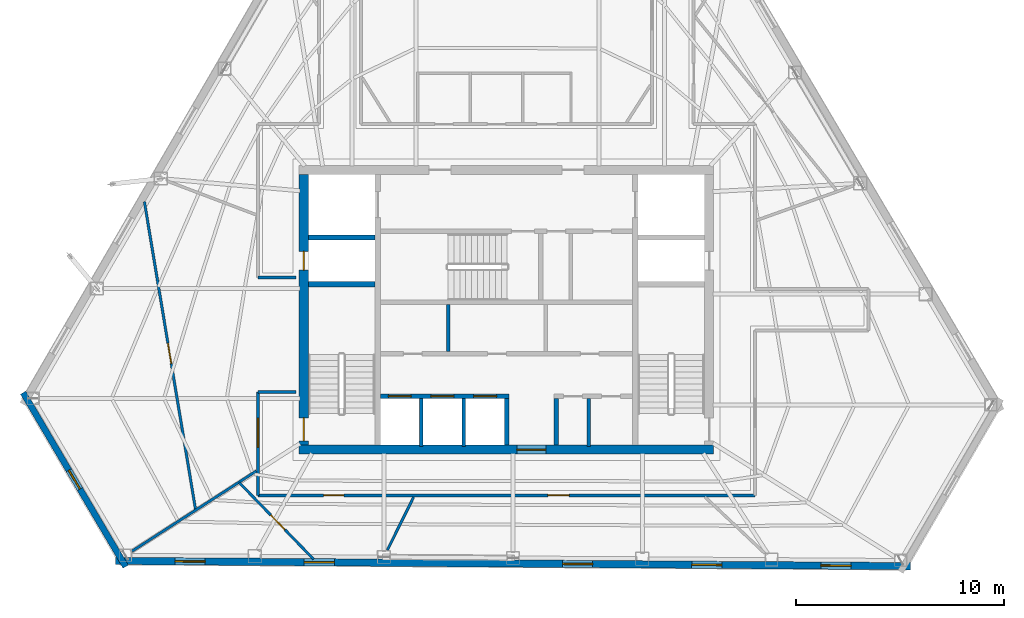
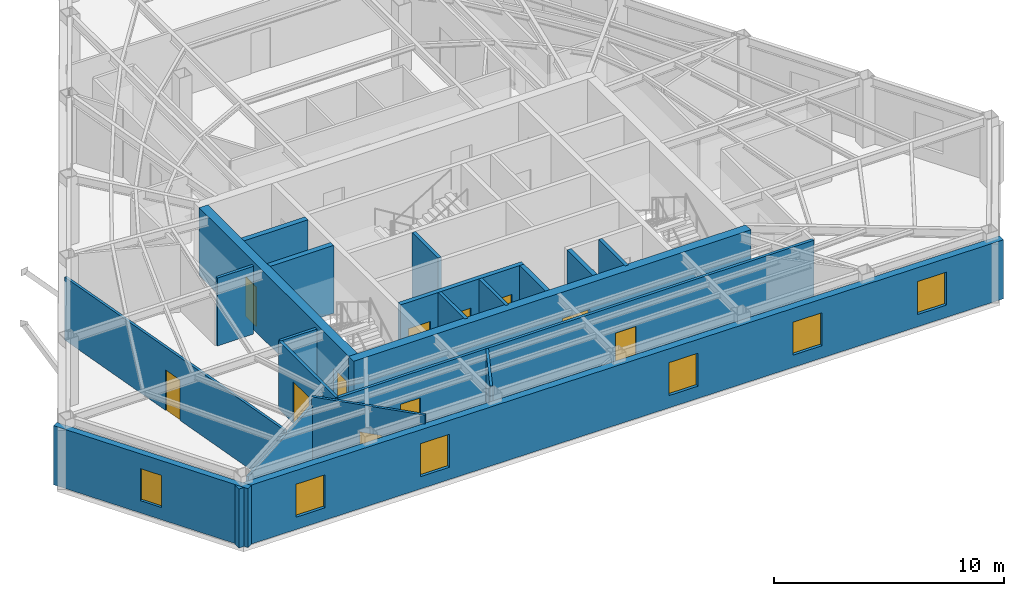
# One storey, part 7 of 11: 21 walls, 11 doors, 6 windows, 17 openings.
"""IFC4 building model written with IfcOpenShell, lengths in metres."""

from ifc_helpers import new_model, si_unit, direction, frame, frame_2d, origin, place, context, subcontext, project, spatial, rectangle, extrude, material, layer, layer_set, type_object, element, fill, save


model = new_model("IFC4")

# Units and contexts
model_context = context("Model", 3, precision=1e-05, world=origin(), true_north=direction((0.0, 1.0)))
body_context = subcontext(model_context, "Body", "Model", "MODEL_VIEW")
ifc_project = project(units=[si_unit("LENGTHUNIT", "METRE"), si_unit("AREAUNIT", "SQUARE_METRE"), si_unit("VOLUMEUNIT", "CUBIC_METRE"), si_unit("PLANEANGLEUNIT", "RADIAN"), si_unit("MASSUNIT", "GRAM", prefix="KILO")], contexts=[model_context])

# Site, building, storey
site_placement = place(None, origin())
site = spatial("IfcSite", under=ifc_project, at=site_placement, CompositionType="ELEMENT")
building_placement = place(site_placement, origin())
building = spatial("IfcBuilding", under=site, at=building_placement, Name="Kavelnor Concourse Tower", CompositionType="ELEMENT")
storey_placement = place(building_placement, frame((0.0, 0.0, 195.800048828125)))
storey = spatial("IfcBuildingStorey", under=building, at=storey_placement, Name="L49", CompositionType="ELEMENT", Elevation=195.800048828125)

# Wall, opening, door
ifc_material_1 = material(Name="Concrete C50/60", Category="concrete")
ifc_layer_1 = layer(ifc_material_1, 0.43994140625, Name="Concrete C50/60")
ifc_layer_set_1 = layer_set([ifc_layer_1], Name="Concrete C50/60")
wall_type_1 = type_object("IfcWallType", Name="WL-CORE-Z3-440", PredefinedType="SOLIDWALL", material=ifc_layer_set_1)
wall_1_placement = place(storey_placement, frame((28.0400390625, 9.3798828125, 0.0), z_axis=(0.0, 0.0, 1.0), x_axis=(1.0, 0.0, 0.0)))
wall_1 = element("IfcWall", 1, at=wall_1_placement, inside=storey, type_object=wall_type_1, Name="L49 Central Core South Shear Wall", PredefinedType="SOLIDWALL", context=body_context, shape_type="SweptSolid", body=[
    extrude(rectangle(XDim=19.919921875, YDim=0.43994140625, at=frame_2d((9.9599609375, 0.0))), origin(), (0.0, 0.0, 1.0), 3.599853515625),
])
opening_1_placement = place(wall_1_placement, frame((10.4599609375, 0.0, 0.0)))
opening_1 = element("IfcOpeningElement", 2, at=opening_1_placement, cuts=wall_1, Name="Opening SD-140", PredefinedType="OPENING", context=body_context, shape_type="SweptSolid", body=[
    extrude(rectangle(XDim=1.39990234375, YDim=2.199951171875, at=frame_2d((0.699951171875, 1.10009765625))), frame((0.0, 0.22998046875, 0.0), z_axis=(0.0, -1.0, 0.0), x_axis=(1.0, 0.0, 0.0)), (0.0, 0.0, 1.0), 0.4599609375),
])
ifc_material_2 = material(Name="Solid-core hardwood timber", Category="wood")
door_type_1 = type_object("IfcDoorType", Name="DR-SUITE-ENTRY-1400", OperationType="NOTDEFINED", PredefinedType="DOOR", material=ifc_material_2)
door_1_placement = place(opening_1_placement, origin())
door_1 = element("IfcDoor", 3, at=door_1_placement, inside=storey, type_object=door_type_1, Name="L49 Passenger Lift Lobby Entry Door", OperationType="SINGLE_SWING_RIGHT", OverallHeight=2.199951171875, OverallWidth=1.39990234375, PredefinedType="DOOR", context=body_context, shape_type="SweptSolid", body=[
    extrude(rectangle(XDim=1.39990234375, YDim=2.199951171875, at=frame_2d((0.699951171875, 1.10009765625))), frame((0.0, 0.02490234375, 0.0), z_axis=(0.0, -1.0, 0.0), x_axis=(1.0, 0.0, 0.0)), (0.0, 0.0, 1.0), 0.050048828125),
])
fill(opening_1, door_1)

# Wall, openings, doors
wall_2_placement = place(storey_placement, frame((28.260009765625, 9.60009765625, 0.0), z_axis=(0.0, 0.0, 1.0), x_axis=(0.0, 1.0, 0.0)))
wall_2 = element("IfcWall", 4, at=wall_2_placement, inside=storey, type_object=wall_type_1, Name="L49 Central Core West Shear Wall", PredefinedType="SOLIDWALL", context=body_context, shape_type="SweptSolid", body=[
    extrude(rectangle(XDim=13.0, YDim=0.43994140625, at=frame_2d((6.5, 0.0))), origin(), (0.0, 0.0, 1.0), 3.599853515625),
])
opening_2_placement = place(wall_2_placement, frame((0.199951171875, 0.0, 0.0)))
opening_2 = element("IfcOpeningElement", 5, at=opening_2_placement, cuts=wall_2, Name="Opening FD-110", PredefinedType="OPENING", context=body_context, shape_type="SweptSolid", body=[
    extrude(rectangle(XDim=1.10009765625, YDim=2.14990234375, at=frame_2d((0.550048828125, 1.074951171875))), frame((0.0, 0.22998046875, 0.0), z_axis=(0.0, -1.0, 0.0), x_axis=(1.0, 0.0, 0.0)), (0.0, 0.0, 1.0), 0.4599609375),
])
opening_3_placement = place(wall_2_placement, frame((8.39990234375, 0.0, 0.0)))
opening_3 = element("IfcOpeningElement", 6, at=opening_3_placement, cuts=wall_2, Name="Opening FD-090", PredefinedType="OPENING", context=body_context, shape_type="SweptSolid", body=[
    extrude(rectangle(XDim=0.89990234375, YDim=2.10009765625, at=frame_2d((0.449951171875, 1.050048828125))), frame((0.0, 0.22998046875, 0.0), z_axis=(0.0, -1.0, 0.0), x_axis=(1.0, 0.0, 0.0)), (0.0, 0.0, 1.0), 0.4599609375),
])
ifc_material_3 = material(Name="Steel Grade 350", Category="steel")
door_type_2 = type_object("IfcDoorType", Name="DR-RISER-FIRE-900", OperationType="NOTDEFINED", PredefinedType="DOOR", material=ifc_material_3)
door_2_placement = place(opening_3_placement, origin())
door_2 = element("IfcDoor", 7, at=door_2_placement, inside=storey, type_object=door_type_2, Name="L49 West Riser Access Door", OperationType="SINGLE_SWING_RIGHT", OverallHeight=2.10009765625, OverallWidth=0.89990234375, PredefinedType="DOOR", context=body_context, shape_type="SweptSolid", body=[
    extrude(rectangle(XDim=0.89990234375, YDim=2.10009765625, at=frame_2d((0.449951171875, 1.050048828125))), frame((0.0, 0.02490234375, 0.0), z_axis=(0.0, -1.0, 0.0), x_axis=(1.0, 0.0, 0.0)), (0.0, 0.0, 1.0), 0.050048828125),
])
fill(opening_3, door_2)
door_type_3 = type_object("IfcDoorType", Name="DR-STAIR-FIRE-1100", OperationType="NOTDEFINED", PredefinedType="DOOR", material=ifc_material_3)
door_3_placement = place(opening_2_placement, origin())
door_3 = element("IfcDoor", 8, at=door_3_placement, inside=storey, type_object=door_type_3, Name="L49 Stair ST1 Fire Door", OperationType="SINGLE_SWING_LEFT", OverallHeight=2.14990234375, OverallWidth=1.10009765625, PredefinedType="DOOR", context=body_context, shape_type="SweptSolid", body=[
    extrude(rectangle(XDim=1.10009765625, YDim=2.14990234375, at=frame_2d((0.550048828125, 1.074951171875))), frame((0.0, 0.02490234375, 0.0), z_axis=(0.0, -1.0, 0.0), x_axis=(1.0, 0.0, 0.0)), (0.0, 0.0, 1.0), 0.050048828125),
])
fill(opening_2, door_3)

# Wall, opening, window
ifc_material_4 = material(Name="Buff ironspot clay face brick masonry", Category="masonry")
ifc_layer_2 = layer(ifc_material_4, 0.300048828125, Name="Buff ironspot clay face brick masonry")
ifc_layer_set_2 = layer_set([ifc_layer_2], Name="Buff ironspot clay face brick masonry")
wall_type_2 = type_object("IfcWallType", Name="WL-EXT-BUFF-BRICK-FOLD-300", PredefinedType="STANDARD", material=ifc_layer_set_2)
wall_3_placement = place(storey_placement, frame((19.701171875, 3.748291015625, 0.0), z_axis=(0.0, 0.0, 1.0), x_axis=(-0.507779296433, 0.861487194399, 0.0)))
wall_3 = element("IfcWall", 9, at=wall_3_placement, inside=storey, type_object=wall_type_2, Name="L49 Exterior Brick Facade Wall E2", PredefinedType="STANDARD", context=body_context, shape_type="SweptSolid", body=[
    extrude(rectangle(XDim=9.708740234375, YDim=0.300048828125, at=frame_2d((4.8544921875, 0.0))), origin(), (0.0, 0.0, 1.0), 3.1318359375),
])
opening_4_placement = place(wall_3_placement, frame((4.329345703125, 0.0, 0.64990234375)))
opening_4 = element("IfcOpeningElement", 10, at=opening_4_placement, cuts=wall_3, Name="Opening W-06", PredefinedType="OPENING", context=body_context, shape_type="SweptSolid", body=[
    extrude(rectangle(XDim=1.050048828125, YDim=1.699951171875, at=frame_2d((0.52490234375, 0.85009765625))), frame((0.0, 0.16015625, 0.0), z_axis=(0.0, -1.0, 0.0), x_axis=(1.0, 0.0, 0.0)), (0.0, 0.0, 1.0), 0.320068359375),
])
ifc_material_5 = material(Name="Double low-E argon insulated glazing", Category="glass")
window_type_1 = type_object("IfcWindowType", Name="WIN-FOLD-1050", PartitioningType="SINGLE_PANEL", PredefinedType="WINDOW", material=ifc_material_5)
window_1_placement = place(opening_4_placement, origin())
window_1 = element("IfcWindow", 11, at=window_1_placement, inside=storey, type_object=window_type_1, Name="L49 Chamfer-Fold Facet Window C1", OverallHeight=1.699951171875, OverallWidth=1.050048828125, PartitioningType="SINGLE_PANEL", PredefinedType="WINDOW", context=body_context, shape_type="SweptSolid", body=[
    extrude(rectangle(XDim=1.050048828125, YDim=1.699951171875, at=frame_2d((0.52490234375, 0.85009765625))), frame((0.0, 0.030029296875, 0.0), z_axis=(0.0, -1.0, 0.0), x_axis=(1.0, 0.0, 0.0)), (0.0, 0.0, 1.0), 0.06005859375),
])
fill(opening_4, window_1)

# Wall, openings, windows
ifc_material_6 = material(Name="Red-ochre clay face brick masonry", Category="masonry")
ifc_layer_3 = layer(ifc_material_6, 0.35009765625, Name="Red-ochre clay face brick masonry")
ifc_layer_set_3 = layer_set([ifc_layer_3], Name="Red-ochre clay face brick masonry")
wall_type_3 = type_object("IfcWallType", Name="WL-EXT-RED-BRICK-PIER-350", PredefinedType="STANDARD", material=ifc_layer_set_3)
wall_4_placement = place(storey_placement, frame((57.4248046875, 3.774658203125, 0.0), z_axis=(0.0, 0.0, 1.0), x_axis=(-0.99997846495, 0.006562746083, 0.0)))
wall_4 = element("IfcWall", 12, at=wall_4_placement, inside=storey, type_object=wall_type_3, Name="L49 Exterior Brick Facade Wall E3", PredefinedType="STANDARD", context=body_context, shape_type="SweptSolid", body=[
    extrude(rectangle(XDim=38.205322265625, YDim=0.35009765625, at=frame_2d((19.1025390625, 0.0))), origin(), (0.0, 0.0, 1.0), 3.1318359375),
])
opening_5_placement = place(wall_4_placement, frame((33.90380859375, 0.0, 0.64990234375)))
opening_5 = element("IfcOpeningElement", 13, at=opening_5_placement, cuts=wall_4, Name="Opening W-03", PredefinedType="OPENING", context=body_context, shape_type="SweptSolid", body=[
    extrude(rectangle(XDim=1.449951171875, YDim=1.75, at=frame_2d((0.72509765625, 0.875))), frame((0.0, 0.18505859375, 0.0), z_axis=(0.0, -1.0, 0.0), x_axis=(1.0, 0.0, 0.0)), (0.0, 0.0, 1.0), 0.3701171875),
])
opening_6_placement = place(wall_4_placement, frame((27.694580078125, 0.0, 0.64990234375)))
opening_6 = element("IfcOpeningElement", 14, at=opening_6_placement, cuts=wall_4, Name="Opening W-03", PredefinedType="OPENING", context=body_context, shape_type="SweptSolid", body=[
    extrude(rectangle(XDim=1.449951171875, YDim=1.75, at=frame_2d((0.72509765625, 0.875))), frame((0.0, 0.18505859375, 0.0), z_axis=(0.0, -1.0, 0.0), x_axis=(1.0, 0.0, 0.0)), (0.0, 0.0, 1.0), 0.3701171875),
])
opening_7_placement = place(wall_4_placement, frame((15.2763671875, 0.0, 0.64990234375)))
opening_7 = element("IfcOpeningElement", 15, at=opening_7_placement, cuts=wall_4, Name="Opening W-03", PredefinedType="OPENING", context=body_context, shape_type="SweptSolid", body=[
    extrude(rectangle(XDim=1.449951171875, YDim=1.75, at=frame_2d((0.72509765625, 0.875))), frame((0.0, 0.18505859375, 0.0), z_axis=(0.0, -1.0, 0.0), x_axis=(1.0, 0.0, 0.0)), (0.0, 0.0, 1.0), 0.3701171875),
])
opening_8_placement = place(wall_4_placement, frame((9.067138671875, 0.0, 0.64990234375)))
opening_8 = element("IfcOpeningElement", 16, at=opening_8_placement, cuts=wall_4, Name="Opening W-03", PredefinedType="OPENING", context=body_context, shape_type="SweptSolid", body=[
    extrude(rectangle(XDim=1.449951171875, YDim=1.75, at=frame_2d((0.72509765625, 0.875))), frame((0.0, 0.18505859375, 0.0), z_axis=(0.0, -1.0, 0.0), x_axis=(1.0, 0.0, 0.0)), (0.0, 0.0, 1.0), 0.3701171875),
])
opening_9_placement = place(wall_4_placement, frame((2.85791015625, 0.0, 0.64990234375)))
opening_9 = element("IfcOpeningElement", 17, at=opening_9_placement, cuts=wall_4, Name="Opening W-03", PredefinedType="OPENING", context=body_context, shape_type="SweptSolid", body=[
    extrude(rectangle(XDim=1.449951171875, YDim=1.75, at=frame_2d((0.72509765625, 0.875))), frame((0.0, 0.18505859375, 0.0), z_axis=(0.0, -1.0, 0.0), x_axis=(1.0, 0.0, 0.0)), (0.0, 0.0, 1.0), 0.3701171875),
])
window_type_2 = type_object("IfcWindowType", Name="WIN-PIER-Z3-1500", PartitioningType="SINGLE_PANEL", PredefinedType="WINDOW", material=ifc_material_5)
window_2_placement = place(opening_5_placement, origin())
window_2 = element("IfcWindow", 18, at=window_2_placement, inside=storey, type_object=window_type_2, Name="L49 Deep-Set Brick Pier Window F1-B0", OverallHeight=1.75, OverallWidth=1.449951171875, PartitioningType="SINGLE_PANEL", PredefinedType="WINDOW", context=body_context, shape_type="SweptSolid", body=[
    extrude(rectangle(XDim=1.449951171875, YDim=1.75, at=frame_2d((0.72509765625, 0.875))), frame((0.0, 0.030029296875, 0.0), z_axis=(0.0, -1.0, 0.0), x_axis=(1.0, 0.0, 0.0)), (0.0, 0.0, 1.0), 0.06005859375),
])
fill(opening_5, window_2)
window_3_placement = place(opening_6_placement, origin())
window_3 = element("IfcWindow", 19, at=window_3_placement, inside=storey, type_object=window_type_2, Name="L49 Deep-Set Brick Pier Window F1-B1", OverallHeight=1.75, OverallWidth=1.449951171875, PartitioningType="SINGLE_PANEL", PredefinedType="WINDOW", context=body_context, shape_type="SweptSolid", body=[
    extrude(rectangle(XDim=1.449951171875, YDim=1.75, at=frame_2d((0.72509765625, 0.875))), frame((0.0, 0.030029296875, 0.0), z_axis=(0.0, -1.0, 0.0), x_axis=(1.0, 0.0, 0.0)), (0.0, 0.0, 1.0), 0.06005859375),
])
fill(opening_6, window_3)
window_4_placement = place(opening_7_placement, origin())
window_4 = element("IfcWindow", 20, at=window_4_placement, inside=storey, type_object=window_type_2, Name="L49 Deep-Set Brick Pier Window F1-B3", OverallHeight=1.75, OverallWidth=1.449951171875, PartitioningType="SINGLE_PANEL", PredefinedType="WINDOW", context=body_context, shape_type="SweptSolid", body=[
    extrude(rectangle(XDim=1.449951171875, YDim=1.75, at=frame_2d((0.72509765625, 0.875))), frame((0.0, 0.030029296875, 0.0), z_axis=(0.0, -1.0, 0.0), x_axis=(1.0, 0.0, 0.0)), (0.0, 0.0, 1.0), 0.06005859375),
])
fill(opening_7, window_4)
window_5_placement = place(opening_8_placement, origin())
window_5 = element("IfcWindow", 21, at=window_5_placement, inside=storey, type_object=window_type_2, Name="L49 Deep-Set Brick Pier Window F1-B4", OverallHeight=1.75, OverallWidth=1.449951171875, PartitioningType="SINGLE_PANEL", PredefinedType="WINDOW", context=body_context, shape_type="SweptSolid", body=[
    extrude(rectangle(XDim=1.449951171875, YDim=1.75, at=frame_2d((0.72509765625, 0.875))), frame((0.0, 0.030029296875, 0.0), z_axis=(0.0, -1.0, 0.0), x_axis=(1.0, 0.0, 0.0)), (0.0, 0.0, 1.0), 0.06005859375),
])
fill(opening_8, window_5)
window_6_placement = place(opening_9_placement, origin())
window_6 = element("IfcWindow", 22, at=window_6_placement, inside=storey, type_object=window_type_2, Name="L49 Deep-Set Brick Pier Window F1-B5", OverallHeight=1.75, OverallWidth=1.449951171875, PartitioningType="SINGLE_PANEL", PredefinedType="WINDOW", context=body_context, shape_type="SweptSolid", body=[
    extrude(rectangle(XDim=1.449951171875, YDim=1.75, at=frame_2d((0.72509765625, 0.875))), frame((0.0, 0.030029296875, 0.0), z_axis=(0.0, -1.0, 0.0), x_axis=(1.0, 0.0, 0.0)), (0.0, 0.0, 1.0), 0.06005859375),
])
fill(opening_9, window_6)

# Wall
ifc_material_7 = material(Name="Gypsum plasterboard on light-gauge steel studs", Category="steel")
ifc_layer_4 = layer(ifc_material_7, 0.14501953125, Name="Gypsum plasterboard on light-gauge steel studs")
ifc_layer_set_4 = layer_set([ifc_layer_4], Name="Gypsum plasterboard on light-gauge steel studs")
wall_type_4 = type_object("IfcWallType", Name="WL-INT-CORR-145", PredefinedType="PARTITIONING", material=ifc_layer_set_4)
wall_5_placement = place(storey_placement, frame((27.8798828125, 17.64990234375, 0.0), z_axis=(0.0, 0.0, 1.0), x_axis=(-1.0, 0.0, 0.0)))
element("IfcWall", 23, at=wall_5_placement, inside=storey, type_object=wall_type_4, Name="L49 Corridor Wall WL-L49-CR-01", PredefinedType="PARTITIONING", context=body_context, shape_type="SweptSolid", body=[
    extrude(rectangle(XDim=1.81982421875, YDim=0.14501953125, at=frame_2d((0.909912109375, 0.0))), origin(), (0.0, 0.0, 1.0), 3.599853515625),
])

# Wall, openings, doors
wall_6_placement = place(storey_placement, frame((49.93994140625, 7.179931640625, 0.0), z_axis=(0.0, 0.0, 1.0), x_axis=(-1.0, 0.0, 0.0)))
wall_6 = element("IfcWall", 24, at=wall_6_placement, inside=storey, type_object=wall_type_4, Name="L49 Corridor Wall WL-L49-CR-17", PredefinedType="PARTITIONING", context=body_context, shape_type="SweptSolid", body=[
    extrude(rectangle(XDim=23.8798828125, YDim=0.14501953125, at=frame_2d((11.93994140625, 0.0))), origin(), (0.0, 0.0, 1.0), 3.599853515625),
])
opening_10_placement = place(wall_6_placement, frame((19.749267578125, 0.0, 0.0)))
opening_10 = element("IfcOpeningElement", 25, at=opening_10_placement, cuts=wall_6, Name="Opening OD-098", PredefinedType="OPENING", context=body_context, shape_type="SweptSolid", body=[
    extrude(rectangle(XDim=0.97998046875, YDim=2.14990234375, at=frame_2d((0.489990234375, 1.074951171875))), frame((0.0, 0.08251953125, 0.0), z_axis=(0.0, -1.0, 0.0), x_axis=(1.0, 0.0, 0.0)), (0.0, 0.0, 1.0), 0.1650390625),
])
opening_11_placement = place(wall_6_placement, frame((8.92919921875, 0.0, 0.0)))
opening_11 = element("IfcOpeningElement", 26, at=opening_11_placement, cuts=wall_6, Name="Opening MD-102", PredefinedType="OPENING", context=body_context, shape_type="SweptSolid", body=[
    extrude(rectangle(XDim=1.02001953125, YDim=2.14990234375, at=frame_2d((0.510009765625, 1.074951171875))), frame((0.0, 0.08251953125, 0.0), z_axis=(0.0, -1.0, 0.0), x_axis=(1.0, 0.0, 0.0)), (0.0, 0.0, 1.0), 0.1650390625),
])
ifc_material_8 = material(Name="Acoustic glazed timber frame", Category="wood")
door_type_4 = type_object("IfcDoorType", Name="DR-MEETING-1020", OperationType="NOTDEFINED", PredefinedType="DOOR", material=ifc_material_8)
door_4_placement = place(opening_11_placement, origin())
door_4 = element("IfcDoor", 27, at=door_4_placement, inside=storey, type_object=door_type_4, Name="L49 Client Boardroom 10 Door", OperationType="SINGLE_SWING_RIGHT", OverallHeight=2.14990234375, OverallWidth=1.02001953125, PredefinedType="DOOR", context=body_context, shape_type="SweptSolid", body=[
    extrude(rectangle(XDim=1.02001953125, YDim=2.14990234375, at=frame_2d((0.510009765625, 1.074951171875))), frame((0.0, 0.02490234375, 0.0), z_axis=(0.0, -1.0, 0.0), x_axis=(1.0, 0.0, 0.0)), (0.0, 0.0, 1.0), 0.050048828125),
])
fill(opening_11, door_4)
door_type_5 = type_object("IfcDoorType", Name="DR-OFFICE-980", OperationType="NOTDEFINED", PredefinedType="DOOR", material=ifc_material_2)
door_5_placement = place(opening_10_placement, origin())
door_5 = element("IfcDoor", 28, at=door_5_placement, inside=storey, type_object=door_type_5, Name="L49 Staff Breakout Pantry 08 Door", OperationType="SINGLE_SWING_RIGHT", OverallHeight=2.14990234375, OverallWidth=0.97998046875, PredefinedType="DOOR", context=body_context, shape_type="SweptSolid", body=[
    extrude(rectangle(XDim=0.97998046875, YDim=2.14990234375, at=frame_2d((0.489990234375, 1.074951171875))), frame((0.0, 0.02490234375, 0.0), z_axis=(0.0, -1.0, 0.0), x_axis=(1.0, 0.0, 0.0)), (0.0, 0.0, 1.0), 0.050048828125),
])
fill(opening_10, door_5)

# Wall, opening, door
wall_7_placement = place(storey_placement, frame((26.06005859375, 7.179931640625, 0.0), z_axis=(0.0, 0.0, 1.0), x_axis=(0.0, 1.0, 0.0)))
wall_7 = element("IfcWall", 29, at=wall_7_placement, inside=storey, type_object=wall_type_4, Name="L49 Corridor Wall WL-L49-CR-18", PredefinedType="PARTITIONING", context=body_context, shape_type="SweptSolid", body=[
    extrude(rectangle(XDim=4.969970703125, YDim=0.14501953125, at=frame_2d((2.48486328125, 0.0))), origin(), (0.0, 0.0, 1.0), 3.599853515625),
])
opening_12_placement = place(wall_7_placement, frame((2.305908203125, 0.0, 0.0)))
opening_12 = element("IfcOpeningElement", 30, at=opening_12_placement, cuts=wall_7, Name="Opening SD-140", PredefinedType="OPENING", context=body_context, shape_type="SweptSolid", body=[
    extrude(rectangle(XDim=1.39990234375, YDim=2.199951171875, at=frame_2d((0.699951171875, 1.10009765625))), frame((0.0, 0.08251953125, 0.0), z_axis=(0.0, -1.0, 0.0), x_axis=(1.0, 0.0, 0.0)), (0.0, 0.0, 1.0), 0.1650390625),
])
door_6_placement = place(opening_12_placement, origin())
door_6 = element("IfcDoor", 31, at=door_6_placement, inside=storey, type_object=door_type_1, Name="L49 Architectural Design Studio 06 Door", OperationType="SINGLE_SWING_RIGHT", OverallHeight=2.199951171875, OverallWidth=1.39990234375, PredefinedType="DOOR", context=body_context, shape_type="SweptSolid", body=[
    extrude(rectangle(XDim=1.39990234375, YDim=2.199951171875, at=frame_2d((0.699951171875, 1.10009765625))), frame((0.0, 0.02490234375, 0.0), z_axis=(0.0, -1.0, 0.0), x_axis=(1.0, 0.0, 0.0)), (0.0, 0.0, 1.0), 0.050048828125),
])
fill(opening_12, door_6)

# Walls
wall_8_placement = place(storey_placement, frame((26.06005859375, 12.14990234375, 0.0), z_axis=(0.0, 0.0, 1.0), x_axis=(1.0, 0.0, 0.0)))
element("IfcWall", 32, at=wall_8_placement, inside=storey, type_object=wall_type_4, Name="L49 Corridor Wall WL-L49-CR-19", PredefinedType="PARTITIONING", context=body_context, shape_type="SweptSolid", body=[
    extrude(rectangle(XDim=1.81982421875, YDim=0.14501953125, at=frame_2d((0.909912109375, 0.0))), origin(), (0.0, 0.0, 1.0), 3.599853515625),
])
ifc_layer_5 = layer(ifc_material_7, 0.1650390625, Name="Gypsum plasterboard on light-gauge steel studs")
ifc_layer_set_5 = layer_set([ifc_layer_5], Name="Gypsum plasterboard on light-gauge steel studs")
wall_type_5 = type_object("IfcWallType", Name="WL-INT-FIRE-165", PredefinedType="PARTITIONING", material=ifc_layer_set_5)
for number, where, z_axis, x_axis, name in (
    (33, (33.89990234375, 9.52001953125, 0.0), (0.0, 0.0, 1.0), (0.0, 1.0, 0.0), "L49 Lift Shaft Divider LP7"),
    (34, (35.949951171875, 9.52001953125, 0.0), (0.0, 0.0, 1.0), (0.0, 1.0, 0.0), "L49 Lift Shaft Divider LP8"),
):
    element("IfcWall", number, at=place(storey_placement, frame(where, z_axis=z_axis, x_axis=x_axis)), inside=storey, type_object=wall_type_5, Name=name, PredefinedType="PARTITIONING", context=body_context, shape_type="SweptSolid", body=[
        extrude(rectangle(XDim=2.320068359375, YDim=0.1650390625, at=frame_2d((1.16015625, 0.0))), origin(), (0.0, 0.0, 1.0), 3.599853515625),
    ])
wall_9_placement = place(storey_placement, frame((35.199951171875, 14.10009765625, 0.0), z_axis=(0.0, 0.0, 1.0), x_axis=(0.0, 1.0, 0.0)))
element("IfcWall", 35, at=wall_9_placement, inside=storey, type_object=wall_type_5, Name="L49 Reclaimed Core Partition A", PredefinedType="PARTITIONING", context=body_context, shape_type="SweptSolid", body=[
    extrude(rectangle(XDim=2.239990234375, YDim=0.1650390625, at=frame_2d((1.1201171875, 0.0))), origin(), (0.0, 0.0, 1.0), 3.599853515625),
])
wall_10_placement = place(storey_placement, frame((41.949951171875, 9.52001953125, 0.0), z_axis=(0.0, 0.0, 1.0), x_axis=(0.0, 1.0, 0.0)))
element("IfcWall", 36, at=wall_10_placement, inside=storey, type_object=wall_type_5, Name="L49 Core WC Partition", PredefinedType="PARTITIONING", context=body_context, shape_type="SweptSolid", body=[
    extrude(rectangle(XDim=2.320068359375, YDim=0.1650390625, at=frame_2d((1.16015625, 0.0))), origin(), (0.0, 0.0, 1.0), 3.599853515625),
])
ifc_layer_6 = layer(ifc_material_7, 0.125, Name="Gypsum plasterboard on light-gauge steel studs")
ifc_layer_set_6 = layer_set([ifc_layer_6], Name="Gypsum plasterboard on light-gauge steel studs")
wall_type_6 = type_object("IfcWallType", Name="WL-INT-SUITE-125", PredefinedType="PARTITIONING", material=ifc_layer_set_6)
wall_11_placement = place(storey_placement, frame((25.9794921875, 8.3466796875, 0.0), z_axis=(0.0, 0.0, 1.0), x_axis=(-0.840345568486, -0.542051035905, 0.0)))
element("IfcWall", 37, at=wall_11_placement, inside=storey, type_object=wall_type_6, Name="L49 Radial Suite Partition 05", PredefinedType="PARTITIONING", context=body_context, shape_type="SweptSolid", body=[
    extrude(rectangle(XDim=7.11328125, YDim=0.125, at=frame_2d((3.556640625, 0.0))), origin(), (0.0, 0.0, 1.0), 3.140869140625),
])
wall_12_placement = place(storey_placement, frame((33.54248046875, 7.099609375, 0.0), z_axis=(0.0, 0.0, 1.0), x_axis=(-0.443758619673, -0.896146353821, 0.0)))
element("IfcWall", 38, at=wall_12_placement, inside=storey, type_object=wall_type_6, Name="L49 Radial Suite Partition 06", PredefinedType="PARTITIONING", context=body_context, shape_type="SweptSolid", body=[
    extrude(rectangle(XDim=2.857666015625, YDim=0.125, at=frame_2d((1.4287109375, 0.0))), origin(), (0.0, 0.0, 1.0), 3.599853515625),
])

# Wall, opening, door
wall_13_placement = place(storey_placement, frame((20.6005859375, 21.29345703125, 0.0), z_axis=(0.0, 0.0, 1.0), x_axis=(0.163887425382, -0.986479047827, 0.0)))
wall_13 = element("IfcWall", 39, at=wall_13_placement, inside=storey, type_object=wall_type_6, Name="L49 Suite Subdivision Partition 04", PredefinedType="PARTITIONING", context=body_context, shape_type="SweptSolid", body=[
    extrude(rectangle(XDim=15.0146484375, YDim=0.125, at=frame_2d((7.50732421875, 0.0))), origin(), (0.0, 0.0, 1.0), 3.3388671875),
])
opening_13_placement = place(wall_13_placement, frame((6.904296875, 0.0, 0.0)))
opening_13 = element("IfcOpeningElement", 40, at=opening_13_placement, cuts=wall_13, Name="Opening OD-098", PredefinedType="OPENING", context=body_context, shape_type="SweptSolid", body=[
    extrude(rectangle(XDim=0.97998046875, YDim=2.14990234375, at=frame_2d((0.489990234375, 1.074951171875))), frame((0.0, 0.072509765625, 0.0), z_axis=(0.0, -1.0, 0.0), x_axis=(1.0, 0.0, 0.0)), (0.0, 0.0, 1.0), 0.14501953125),
])
door_7_placement = place(opening_13_placement, origin())
door_7 = element("IfcDoor", 41, at=door_7_placement, inside=storey, type_object=door_type_5, Name="L49 Architectural Design Studio 07 Door", OperationType="SINGLE_SWING_LEFT", OverallHeight=2.14990234375, OverallWidth=0.97998046875, PredefinedType="DOOR", context=body_context, shape_type="SweptSolid", body=[
    extrude(rectangle(XDim=0.97998046875, YDim=2.14990234375, at=frame_2d((0.489990234375, 1.074951171875))), frame((0.0, 0.02490234375, 0.0), z_axis=(0.0, -1.0, 0.0), x_axis=(1.0, 0.0, 0.0)), (0.0, 0.0, 1.0), 0.050048828125),
])
fill(opening_13, door_7)

wall_14_placement = place(storey_placement, frame((25.15380859375, 7.796142578125, 0.0), z_axis=(0.0, 0.0, 1.0), x_axis=(0.696321168486, -0.717730332589, 0.0)))
wall_14 = element("IfcWall", 42, at=wall_14_placement, inside=storey, type_object=wall_type_6, Name="L49 Suite Subdivision Partition 05", PredefinedType="PARTITIONING", context=body_context, shape_type="SweptSolid", body=[
    extrude(rectangle(XDim=5.131591796875, YDim=0.125, at=frame_2d((2.56591796875, 0.0))), origin(), (0.0, 0.0, 1.0), 3.599853515625),
])
opening_14_placement = place(wall_14_placement, frame((2.181396484375, 0.0, 0.0)))
opening_14 = element("IfcOpeningElement", 43, at=opening_14_placement, cuts=wall_14, Name="Opening OD-098", PredefinedType="OPENING", context=body_context, shape_type="SweptSolid", body=[
    extrude(rectangle(XDim=0.97998046875, YDim=2.14990234375, at=frame_2d((0.489990234375, 1.074951171875))), frame((0.0, 0.072509765625, 0.0), z_axis=(0.0, -1.0, 0.0), x_axis=(1.0, 0.0, 0.0)), (0.0, 0.0, 1.0), 0.14501953125),
])
door_8_placement = place(opening_14_placement, origin())
door_8 = element("IfcDoor", 44, at=door_8_placement, inside=storey, type_object=door_type_5, Name="L49 Architectural Design Studio 09 Door", OperationType="SINGLE_SWING_LEFT", OverallHeight=2.14990234375, OverallWidth=0.97998046875, PredefinedType="DOOR", context=body_context, shape_type="SweptSolid", body=[
    extrude(rectangle(XDim=0.97998046875, YDim=2.14990234375, at=frame_2d((0.489990234375, 1.074951171875))), frame((0.0, 0.02490234375, 0.0), z_axis=(0.0, -1.0, 0.0), x_axis=(1.0, 0.0, 0.0)), (0.0, 0.0, 1.0), 0.050048828125),
])
fill(opening_14, door_8)

# Wall, openings, doors
ifc_layer_7 = layer(ifc_material_1, 0.219970703125, Name="Concrete C50/60")
ifc_layer_set_7 = layer_set([ifc_layer_7], Name="Concrete C50/60")
wall_type_7 = type_object("IfcWallType", Name="WL-SHAFT-220", PredefinedType="SOLIDWALL", material=ifc_layer_set_7)
wall_15_placement = place(storey_placement, frame((31.93994140625, 11.949951171875, 0.0), z_axis=(0.0, 0.0, 1.0), x_axis=(1.0, 0.0, 0.0)))
wall_15 = element("IfcWall", 45, at=wall_15_placement, inside=storey, type_object=wall_type_7, Name="L49 High-Rise Lift Bank North Wall", PredefinedType="SOLIDWALL", context=body_context, shape_type="SweptSolid", body=[
    extrude(rectangle(XDim=6.18994140625, YDim=0.219970703125, at=frame_2d((3.094970703125, 0.0))), origin(), (0.0, 0.0, 1.0), 3.599853515625),
])
opening_15_placement = place(wall_15_placement, frame((0.385009765625, 0.0, 0.0)))
opening_15 = element("IfcOpeningElement", 46, at=opening_15_placement, cuts=wall_15, Name="Opening LD-110", PredefinedType="OPENING", context=body_context, shape_type="SweptSolid", body=[
    extrude(rectangle(XDim=1.10009765625, YDim=2.199951171875, at=frame_2d((0.550048828125, 1.10009765625))), frame((0.0, 0.1201171875, 0.0), z_axis=(0.0, -1.0, 0.0), x_axis=(1.0, 0.0, 0.0)), (0.0, 0.0, 1.0), 0.239990234375),
])
opening_16_placement = place(wall_15_placement, frame((2.43505859375, 0.0, 0.0)))
opening_16 = element("IfcOpeningElement", 47, at=opening_16_placement, cuts=wall_15, Name="Opening LD-110", PredefinedType="OPENING", context=body_context, shape_type="SweptSolid", body=[
    extrude(rectangle(XDim=1.10009765625, YDim=2.199951171875, at=frame_2d((0.550048828125, 1.10009765625))), frame((0.0, 0.1201171875, 0.0), z_axis=(0.0, -1.0, 0.0), x_axis=(1.0, 0.0, 0.0)), (0.0, 0.0, 1.0), 0.239990234375),
])
opening_17_placement = place(wall_15_placement, frame((4.485107421875, 0.0, 0.0)))
opening_17 = element("IfcOpeningElement", 48, at=opening_17_placement, cuts=wall_15, Name="Opening LD-110", PredefinedType="OPENING", context=body_context, shape_type="SweptSolid", body=[
    extrude(rectangle(XDim=1.10009765625, YDim=2.199951171875, at=frame_2d((0.550048828125, 1.10009765625))), frame((0.0, 0.1201171875, 0.0), z_axis=(0.0, -1.0, 0.0), x_axis=(1.0, 0.0, 0.0)), (0.0, 0.0, 1.0), 0.239990234375),
])
door_type_6 = type_object("IfcDoorType", Name="DR-LIFT-SLIDING-1100", OperationType="NOTDEFINED", PredefinedType="DOOR", material=ifc_material_3)
door_9_placement = place(opening_15_placement, origin())
door_9 = element("IfcDoor", 49, at=door_9_placement, inside=storey, type_object=door_type_6, Name="L49 Lift LP7 Landing Door", OperationType="DOUBLE_DOOR_SLIDING", OverallHeight=2.199951171875, OverallWidth=1.10009765625, PredefinedType="DOOR", context=body_context, shape_type="SweptSolid", body=[
    extrude(rectangle(XDim=1.10009765625, YDim=2.199951171875, at=frame_2d((0.550048828125, 1.10009765625))), frame((0.0, 0.02490234375, 0.0), z_axis=(0.0, -1.0, 0.0), x_axis=(1.0, 0.0, 0.0)), (0.0, 0.0, 1.0), 0.050048828125),
])
fill(opening_15, door_9)
door_10_placement = place(opening_16_placement, origin())
door_10 = element("IfcDoor", 50, at=door_10_placement, inside=storey, type_object=door_type_6, Name="L49 Lift LP8 Landing Door", OperationType="DOUBLE_DOOR_SLIDING", OverallHeight=2.199951171875, OverallWidth=1.10009765625, PredefinedType="DOOR", context=body_context, shape_type="SweptSolid", body=[
    extrude(rectangle(XDim=1.10009765625, YDim=2.199951171875, at=frame_2d((0.550048828125, 1.10009765625))), frame((0.0, 0.02490234375, 0.0), z_axis=(0.0, -1.0, 0.0), x_axis=(1.0, 0.0, 0.0)), (0.0, 0.0, 1.0), 0.050048828125),
])
fill(opening_16, door_10)
door_11_placement = place(opening_17_placement, origin())
door_11 = element("IfcDoor", 51, at=door_11_placement, inside=storey, type_object=door_type_6, Name="L49 Lift LP9 Landing Door", OperationType="DOUBLE_DOOR_SLIDING", OverallHeight=2.199951171875, OverallWidth=1.10009765625, PredefinedType="DOOR", context=body_context, shape_type="SweptSolid", body=[
    extrude(rectangle(XDim=1.10009765625, YDim=2.199951171875, at=frame_2d((0.550048828125, 1.10009765625))), frame((0.0, 0.02490234375, 0.0), z_axis=(0.0, -1.0, 0.0), x_axis=(1.0, 0.0, 0.0)), (0.0, 0.0, 1.0), 0.050048828125),
])
fill(opening_17, door_11)

# Walls
for number, where, z_axis, x_axis, name in (
    (52, (38.02001953125, 9.60009765625, 0.0), (0.0, 0.0, 1.0), (0.0, 1.0, 0.0), "L49 Lift Lobby Throat West Wall"),
    (53, (40.389892578125, 9.60009765625, 0.0), (0.0, 0.0, 1.0), (0.0, 1.0, 0.0), "L49 Lift Lobby Throat East Wall"),
):
    element("IfcWall", number, at=place(storey_placement, frame(where, z_axis=z_axis, x_axis=x_axis)), inside=storey, type_object=wall_type_7, Name=name, PredefinedType="SOLIDWALL", context=body_context, shape_type="SweptSolid", body=[
        extrude(rectangle(XDim=2.239990234375, YDim=0.219970703125, at=frame_2d((1.1201171875, 0.0))), origin(), (0.0, 0.0, 1.0), 3.599853515625),
    ])
ifc_layer_8 = layer(ifc_material_1, 0.260009765625, Name="Concrete C50/60")
ifc_layer_set_8 = layer_set([ifc_layer_8], Name="Concrete C50/60")
wall_type_8 = type_object("IfcWallType", Name="WL-SHAFT-260", PredefinedType="SHEAR", material=ifc_layer_set_8)
for number, where, z_axis, x_axis, name in (
    (54, (28.47998046875, 17.330078125, 0.0), (0.0, 0.0, 1.0), (1.0, 0.0, 0.0), "L49 Stair ST1 North Shaft Wall"),
    (55, (28.47998046875, 19.570068359375, 0.0), (0.0, 0.0, 1.0), (1.0, 0.0, 0.0), "L49 Emergency Lift FL1 South Shaft Wall"),
):
    element("IfcWall", number, at=place(storey_placement, frame(where, z_axis=z_axis, x_axis=x_axis)), inside=storey, type_object=wall_type_8, Name=name, PredefinedType="SHEAR", context=body_context, shape_type="SweptSolid", body=[
        extrude(rectangle(XDim=3.199951171875, YDim=0.260009765625, at=frame_2d((1.60009765625, 0.0))), origin(), (0.0, 0.0, 1.0), 3.599853515625),
    ])

save(model, "model.ifc")
